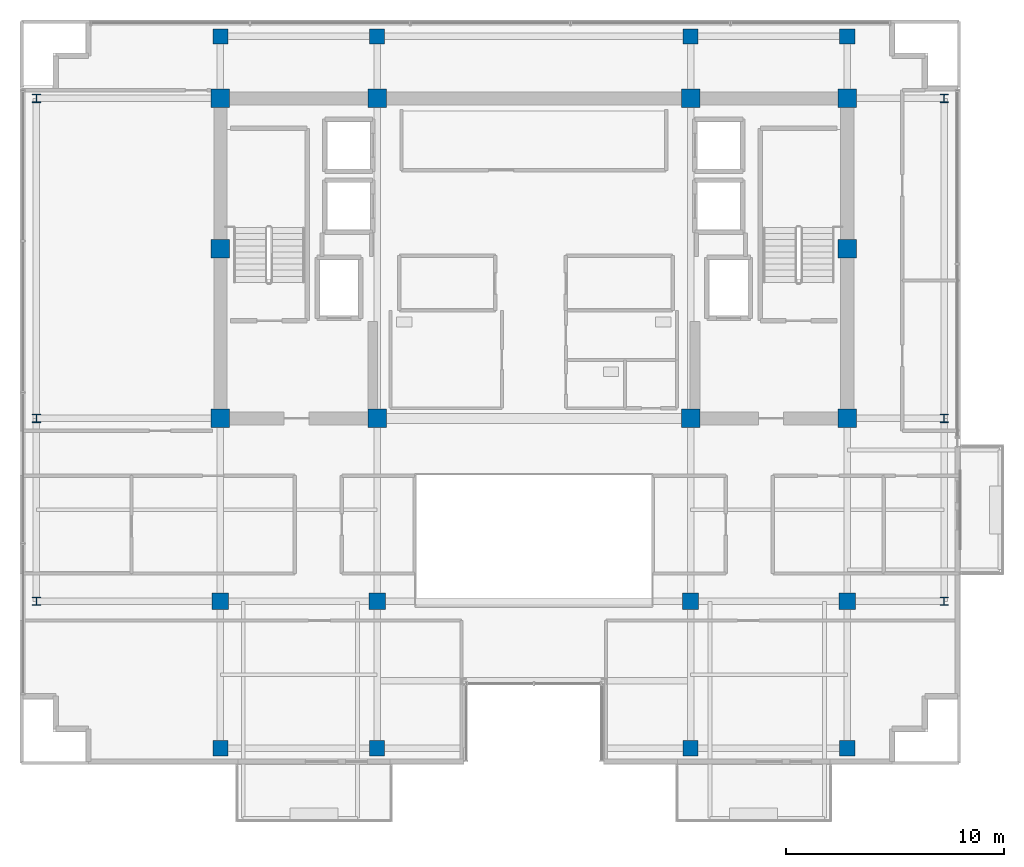
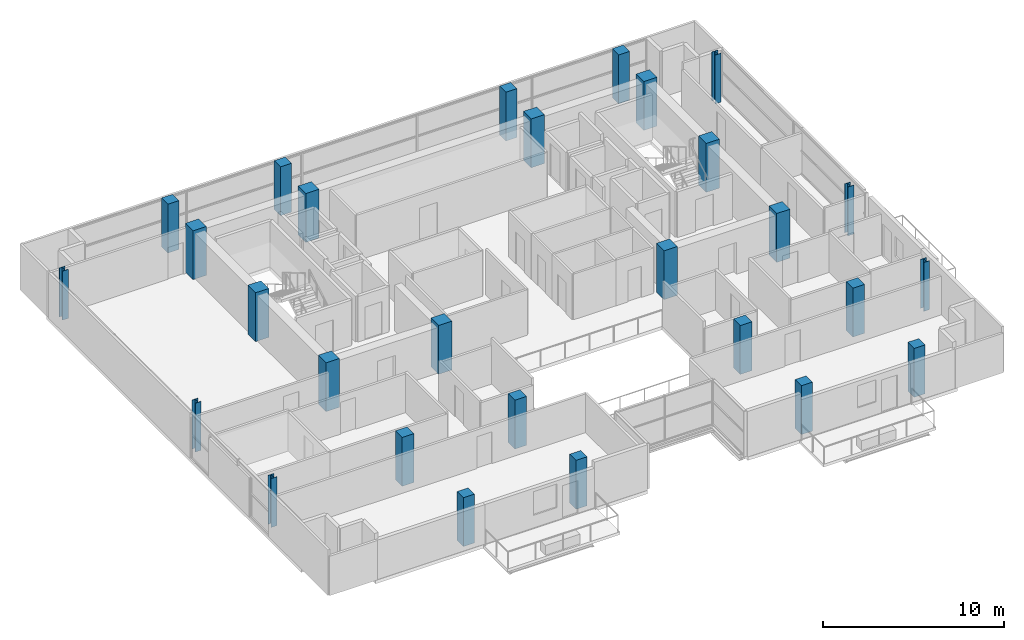
# One storey, part 1 of 23: 28 columns.
"""IFC4 building model written with IfcOpenShell, lengths in metres."""

from ifc_helpers import new_model, si_unit, direction, frame, origin, origin_2d, place, context, subcontext, project, spatial, rectangle, i_section, extrude, material, material_profile, profile_set, type_object, element, save


model = new_model("IFC4")

# Units and contexts
model_context = context("Model", 3, precision=1e-05, world=origin(), true_north=direction((0.0, 1.0)))
body_context = subcontext(model_context, "Body", "Model", "MODEL_VIEW")
ifc_project = project(units=[si_unit("LENGTHUNIT", "METRE"), si_unit("AREAUNIT", "SQUARE_METRE"), si_unit("VOLUMEUNIT", "CUBIC_METRE"), si_unit("PLANEANGLEUNIT", "RADIAN"), si_unit("MASSUNIT", "GRAM", prefix="KILO")], contexts=[model_context])

# Site, building, storey
site_placement = place(None, origin())
site = spatial("IfcSite", under=ifc_project, at=site_placement, CompositionType="ELEMENT")
building_placement = place(site_placement, origin())
building = spatial("IfcBuilding", under=site, at=building_placement, Name="Zarnakvel Exchange Tower", CompositionType="ELEMENT")
storey_placement = place(building_placement, frame((0.0, 0.0, 212.199951171875)))
storey = spatial("IfcBuildingStorey", under=building, at=storey_placement, Name="L59", CompositionType="ELEMENT", Elevation=212.199951171875)

# Columns
ifc_material_1 = material(Name="Concrete C50/60", Category="concrete")
ifc_material_profile_1 = material_profile(ifc_material_1, rectangle(XDim=0.85009765625, YDim=0.85009765625, at=origin_2d()))
ifc_profile_set_1 = profile_set([ifc_material_profile_1], Name="Concrete C50/60")
column_type_1 = type_object("IfcColumnType", Name="CC-03", PredefinedType="COLUMN", material=ifc_profile_set_1)
for number, where, z_axis, x_axis, name in (
    (1, (-14.39990234375, -1.199951171875, 0.0), (0.0, 0.0, 1.0), (1.0, 0.0, 0.0), "L59 Column C-4D (CC-03)"),
    (2, (-7.199951171875, -1.199951171875, 0.0), (0.0, 0.0, 1.0), (1.0, 0.0, 0.0), "L59 Column C-5D (CC-03)"),
    (3, (7.199951171875, -1.199951171875, 0.0), (0.0, 0.0, 1.0), (1.0, 0.0, 0.0), "L59 Column C-8D (CC-03)"),
    (4, (14.39990234375, -1.199951171875, 0.0), (0.0, 0.0, 1.0), (1.0, 0.0, 0.0), "L59 Column C-9D (CC-03)"),
    (5, (-14.39990234375, 6.60009765625, 0.0), (0.0, 0.0, 1.0), (1.0, 0.0, 0.0), "L59 Column C-4E (CC-03)"),
    (6, (14.39990234375, 6.60009765625, 0.0), (0.0, 0.0, 1.0), (1.0, 0.0, 0.0), "L59 Column C-9E (CC-03)"),
    (7, (-14.39990234375, 13.5, 0.0), (0.0, 0.0, 1.0), (1.0, 0.0, 0.0), "L59 Column C-4F (CC-03)"),
    (8, (-7.199951171875, 13.5, 0.0), (0.0, 0.0, 1.0), (1.0, 0.0, 0.0), "L59 Column C-5F (CC-03)"),
    (9, (7.199951171875, 13.5, 0.0), (0.0, 0.0, 1.0), (1.0, 0.0, 0.0), "L59 Column C-8F (CC-03)"),
    (10, (14.39990234375, 13.5, 0.0), (0.0, 0.0, 1.0), (1.0, 0.0, 0.0), "L59 Column C-9F (CC-03)"),
):
    element("IfcColumn", number, at=place(storey_placement, frame(where, z_axis=z_axis, x_axis=x_axis)), inside=storey, type_object=column_type_1, Name=name, PredefinedType="COLUMN", context=body_context, shape_type="SweptSolid", body=[
        extrude(rectangle(XDim=0.85009765625, YDim=0.85009765625, at=origin_2d()), origin(), (0.0, 0.0, 1.0), 3.300048828125),
    ])
ifc_material_2 = material(Name="Steel S355", Category="steel")
ifc_material_profile_2 = material_profile(ifc_material_2, i_section(OverallWidth=0.374755859375, OverallDepth=0.37451171875, WebThickness=0.0166015625, FlangeThickness=0.027099609375, FilletRadius=0.01513671875, at=origin_2d()))
ifc_profile_set_2 = profile_set([ifc_material_profile_2], Name="Steel S355")
column_type_2 = type_object("IfcColumnType", Name="SC-05", PredefinedType="COLUMN", material=ifc_profile_set_2)
for number, where, z_axis, x_axis, name in (
    (11, (-22.85009765625, -9.60009765625, 0.0), (0.0, 0.0, 1.0), (1.0, 0.0, 0.0), "L59 Column TW-C (SC-05)"),
    (12, (18.85009765625, -9.60009765625, 0.0), (0.0, 0.0, 1.0), (1.0, 0.0, 0.0), "L59 Column TE-C (SC-05)"),
    (13, (-22.85009765625, -1.199951171875, 0.0), (0.0, 0.0, 1.0), (1.0, 0.0, 0.0), "L59 Column TW-D (SC-05)"),
    (14, (18.85009765625, -1.199951171875, 0.0), (0.0, 0.0, 1.0), (1.0, 0.0, 0.0), "L59 Column TE-D (SC-05)"),
    (15, (-22.85009765625, 13.5, 0.0), (0.0, 0.0, 1.0), (1.0, 0.0, 0.0), "L59 Column TW-F (SC-05)"),
    (16, (18.85009765625, 13.5, 0.0), (0.0, 0.0, 1.0), (1.0, 0.0, 0.0), "L59 Column TE-F (SC-05)"),
):
    element("IfcColumn", number, at=place(storey_placement, frame(where, z_axis=z_axis, x_axis=x_axis)), inside=storey, type_object=column_type_2, Name=name, PredefinedType="COLUMN", context=body_context, shape_type="SweptSolid", body=[
        extrude(i_section(OverallWidth=0.374755859375, OverallDepth=0.37451171875, WebThickness=0.0166015625, FlangeThickness=0.027099609375, FilletRadius=0.01513671875, at=origin_2d()), origin(), (0.0, 0.0, 1.0), 3.300048828125),
    ])
ifc_material_profile_3 = material_profile(ifc_material_1, rectangle(XDim=0.75, YDim=0.75, at=origin_2d()))
ifc_profile_set_3 = profile_set([ifc_material_profile_3], Name="Concrete C50/60")
column_type_3 = type_object("IfcColumnType", Name="TC-04", PredefinedType="COLUMN", material=ifc_profile_set_3)
for number, where, z_axis, x_axis, name in (
    (17, (-14.39990234375, -9.60009765625, 0.0), (0.0, 0.0, 1.0), (1.0, 0.0, 0.0), "L59 Column T-4C (TC-04)"),
    (18, (-7.199951171875, -9.60009765625, 0.0), (0.0, 0.0, 1.0), (1.0, 0.0, 0.0), "L59 Column T-5C (TC-04)"),
    (19, (7.199951171875, -9.60009765625, 0.0), (0.0, 0.0, 1.0), (1.0, 0.0, 0.0), "L59 Column T-8C (TC-04)"),
    (20, (14.39990234375, -9.60009765625, 0.0), (0.0, 0.0, 1.0), (1.0, 0.0, 0.0), "L59 Column T-9C (TC-04)"),
):
    element("IfcColumn", number, at=place(storey_placement, frame(where, z_axis=z_axis, x_axis=x_axis)), inside=storey, type_object=column_type_3, Name=name, PredefinedType="COLUMN", context=body_context, shape_type="SweptSolid", body=[
        extrude(rectangle(XDim=0.75, YDim=0.75, at=origin_2d()), origin(), (0.0, 0.0, 1.0), 3.300048828125),
    ])
ifc_material_profile_4 = material_profile(ifc_material_1, rectangle(XDim=0.699951171875, YDim=0.699951171875, at=origin_2d()))
ifc_profile_set_4 = profile_set([ifc_material_profile_4], Name="Concrete C50/60")
column_type_4 = type_object("IfcColumnType", Name="TC-05", PredefinedType="COLUMN", material=ifc_profile_set_4)
for number, where, z_axis, x_axis, name in (
    (21, (-14.39990234375, -16.35009765625, 0.0), (0.0, 0.0, 1.0), (1.0, 0.0, 0.0), "L59 Column TS-4 (TC-05)"),
    (22, (-14.39990234375, 16.35009765625, 0.0), (0.0, 0.0, 1.0), (1.0, 0.0, 0.0), "L59 Column TN-4 (TC-05)"),
    (23, (-7.199951171875, -16.35009765625, 0.0), (0.0, 0.0, 1.0), (1.0, 0.0, 0.0), "L59 Column TS-5 (TC-05)"),
    (24, (-7.199951171875, 16.35009765625, 0.0), (0.0, 0.0, 1.0), (1.0, 0.0, 0.0), "L59 Column TN-5 (TC-05)"),
    (25, (7.199951171875, -16.35009765625, 0.0), (0.0, 0.0, 1.0), (1.0, 0.0, 0.0), "L59 Column TS-8 (TC-05)"),
    (26, (7.199951171875, 16.35009765625, 0.0), (0.0, 0.0, 1.0), (1.0, 0.0, 0.0), "L59 Column TN-8 (TC-05)"),
    (27, (14.39990234375, -16.35009765625, 0.0), (0.0, 0.0, 1.0), (1.0, 0.0, 0.0), "L59 Column TS-9 (TC-05)"),
    (28, (14.39990234375, 16.35009765625, 0.0), (0.0, 0.0, 1.0), (1.0, 0.0, 0.0), "L59 Column TN-9 (TC-05)"),
):
    element("IfcColumn", number, at=place(storey_placement, frame(where, z_axis=z_axis, x_axis=x_axis)), inside=storey, type_object=column_type_4, Name=name, PredefinedType="COLUMN", context=body_context, shape_type="SweptSolid", body=[
        extrude(rectangle(XDim=0.699951171875, YDim=0.699951171875, at=origin_2d()), origin(), (0.0, 0.0, 1.0), 3.300048828125),
    ])

save(model, "model.ifc")
